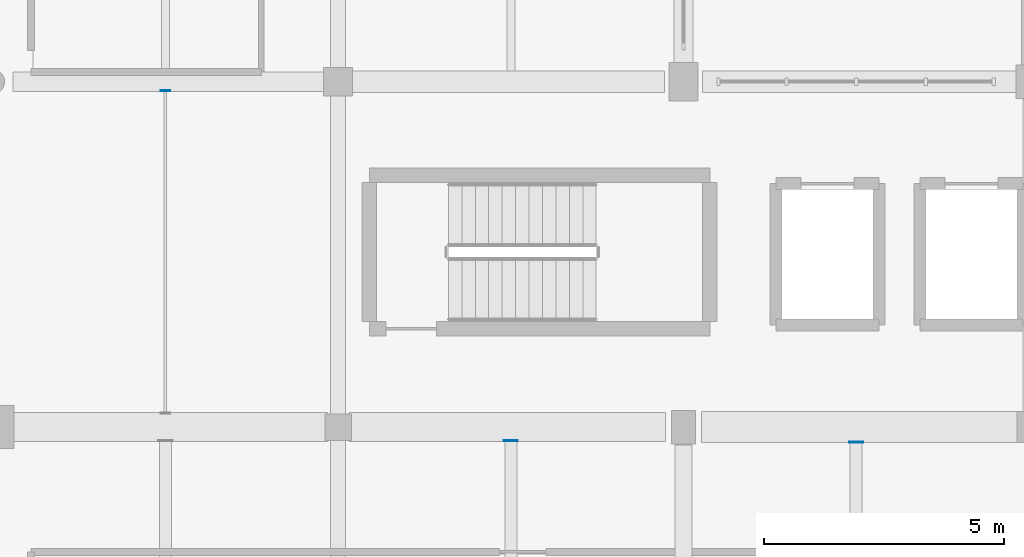
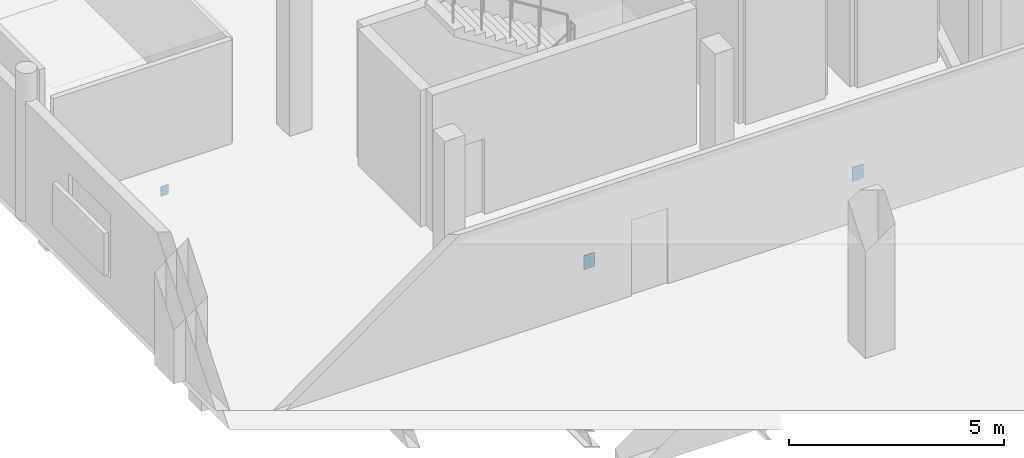
# One storey, part 57 of 90: 3 plates.
"""IFC4 building model written with IfcOpenShell, lengths in metres."""

from ifc_helpers import new_model, si_unit, direction, frame, origin, origin_2d, place, context, subcontext, project, spatial, rectangle, extrude, material, layer, layer_set, type_object, element, save


model = new_model("IFC4")

# Units and contexts
model_context = context("Model", 3, precision=1e-05, world=origin(), true_north=direction((0.0, 1.0)))
body_context = subcontext(model_context, "Body", "Model", "MODEL_VIEW")
ifc_project = project(units=[si_unit("LENGTHUNIT", "METRE"), si_unit("AREAUNIT", "SQUARE_METRE"), si_unit("VOLUMEUNIT", "CUBIC_METRE"), si_unit("PLANEANGLEUNIT", "RADIAN"), si_unit("MASSUNIT", "GRAM", prefix="KILO")], contexts=[model_context])

# Site, building, storey
site_placement = place(None, origin())
site = spatial("IfcSite", under=ifc_project, at=site_placement, CompositionType="ELEMENT")
building_placement = place(site_placement, origin())
building = spatial("IfcBuilding", under=site, at=building_placement, Name="Solanera Park Tramway Depot", CompositionType="ELEMENT")
storey_placement = place(building_placement, frame((0.0, 0.0, 9.0)))
storey = spatial("IfcBuildingStorey", under=building, at=storey_placement, Name="L02", CompositionType="ELEMENT", Elevation=9.0)

# Plates
ifc_material_1 = material(Name="Steel AS/NZS 3679.1 Grade 350", Category="steel")
ifc_layer_1 = layer(ifc_material_1, 0.013916015625)
ifc_layer_set_1 = layer_set([ifc_layer_1], Name="Steel AS/NZS 3679.1 Grade 350")
plate_type_1 = type_object("IfcPlateType", Name="Hollow End Cap and Base Plate 280x200x14", PredefinedType="USERDEFINED", material=ifc_layer_set_1)
plate_placement = place(storey_placement, frame((111.60009765625, 25.010986328125, -0.5791015625), z_axis=(0.0, 0.0, 1.0), x_axis=(0.0, 1.0, 0.0)))
element("IfcPlate", 1, at=plate_placement, inside=storey, type_object=plate_type_1, Name="Hollow Section Welded End Cap Plate #0049", ObjectType="BASE PLATE", PredefinedType="USERDEFINED", context=body_context, shape_type="SweptSolid", body=[
    extrude(rectangle(XDim=0.013916015625, YDim=0.199951171875, at=origin_2d()), origin(), (0.0, 0.0, 1.0), 0.280029296875),
])
ifc_material_2 = material(Name="Steel AS/NZS 3679.1 Grade 350", Category="steel")
ifc_layer_2 = layer(ifc_material_2, 0.02001953125)
ifc_layer_set_2 = layer_set([ifc_layer_2], Name="Steel AS/NZS 3679.1 Grade 350")
plate_type_2 = type_object("IfcPlateType", Name="Hollow End Cap and Base Plate 400x300x20", PredefinedType="USERDEFINED", material=ifc_layer_set_2)
for number, where, z_axis, x_axis, name in (
    (2, (118.800048828125, 17.714111328125, -0.739013671875), (0.0, 0.0, 1.0), (0.0, 1.0, 0.0), "Hollow Section Welded End Cap Plate #0029"),
    (3, (126.0, 17.68896484375, -0.739013671875), (0.0, 0.0, 1.0), (0.0, 1.0, 0.0), "Hollow Section Welded End Cap Plate #0031"),
):
    element("IfcPlate", number, at=place(storey_placement, frame(where, z_axis=z_axis, x_axis=x_axis)), inside=storey, type_object=plate_type_2, Name=name, ObjectType="BASE PLATE", PredefinedType="USERDEFINED", context=body_context, shape_type="SweptSolid", body=[
        extrude(rectangle(XDim=0.02001953125, YDim=0.300048828125, at=origin_2d()), origin(), (0.0, 0.0, 1.0), 0.39990234375),
    ])

save(model, "model.ifc")
